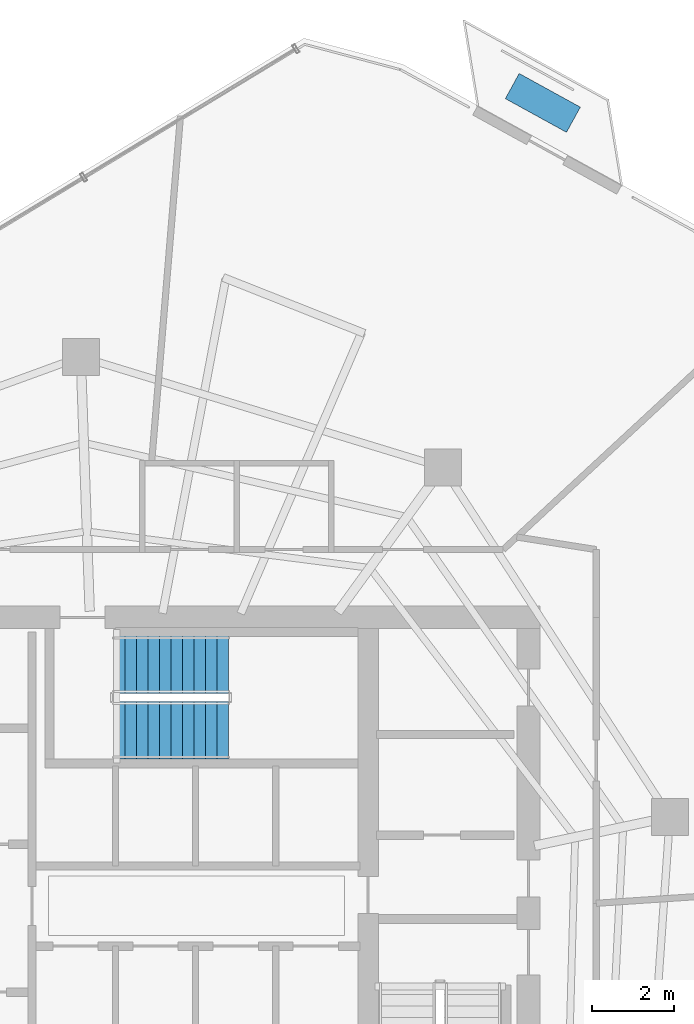
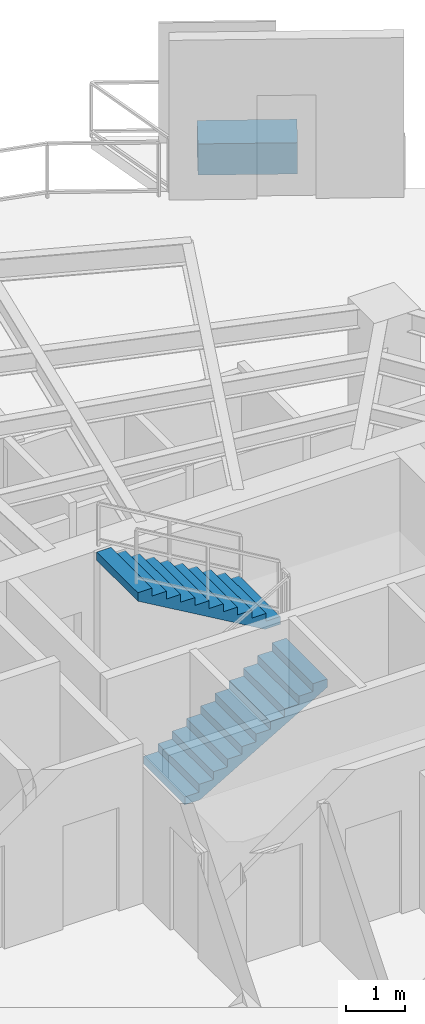
# One storey, part 17 of 19: 2 stair flights, 1 discrete accessory, 1 element without a shape of its own.
"""IFC4 building model written with IfcOpenShell, lengths in metres."""

from ifc_helpers import new_model, si_unit, direction, frame, origin, origin_2d, place, context, subcontext, project, spatial, polyline, rectangle, outline, extrude, material, type_object, element, aggregate, save


model = new_model("IFC4")

# Units and contexts
model_context = context("Model", 3, precision=1e-05, world=origin(), true_north=direction((0.0, 1.0)))
body_context = subcontext(model_context, "Body", "Model", "MODEL_VIEW")
ifc_project = project(units=[si_unit("LENGTHUNIT", "METRE"), si_unit("AREAUNIT", "SQUARE_METRE"), si_unit("VOLUMEUNIT", "CUBIC_METRE"), si_unit("PLANEANGLEUNIT", "RADIAN"), si_unit("MASSUNIT", "GRAM", prefix="KILO")], contexts=[model_context])

# Site, building, storey
site_placement = place(None, origin())
site = spatial("IfcSite", under=ifc_project, at=site_placement, CompositionType="ELEMENT")
building_placement = place(site_placement, origin())
building = spatial("IfcBuilding", under=site, at=building_placement, Name="Qarnah Convention Tower", CompositionType="ELEMENT")
storey_placement = place(building_placement, frame((0.0, 0.0, 184.199951171875)))
storey = spatial("IfcBuildingStorey", under=building, at=storey_placement, Name="L49", CompositionType="ELEMENT", Elevation=184.199951171875)

# Stair, stair flights
ifc_material_1 = material(Name="Concrete C50/60", Category="concrete")
stair_type = type_object("IfcStairType", Name="STR-OFF", PredefinedType="HALF_TURN_STAIR", material=ifc_material_1)
stair_placement = place(storey_placement, origin())
stair = element("IfcStair", 1, at=stair_placement, inside=storey, type_object=stair_type, Name="L49 Core exit stair ST-3", PredefinedType="HALF_TURN_STAIR")
stair_flight_type = type_object("IfcStairFlightType", Name="FLT-OFF", PredefinedType="STRAIGHT", material=ifc_material_1)
stair_flight_1_placement = place(storey_placement, frame((37.5, 31.449951171875, 0.0), z_axis=(0.0, 0.0, 1.0), x_axis=(1.0, 0.0, 0.0)))
stair_flight_1 = element("IfcStairFlight", 2, at=stair_flight_1_placement, type_object=stair_flight_type, Name="ST-3 flight 1", NumberOfRisers=11, NumberOfTreads=10, PredefinedType="STRAIGHT", RiserHeight=0.163636364, TreadLength=0.28, context=body_context, shape_type="SweptSolid", body=[
    extrude(outline(polyline([(0.0, 0.0), (0.0, 0.16357421875), (0.280029296875, 0.16357421875), (0.280029296875, 0.327392578125), (0.56005859375, 0.327392578125), (0.56005859375, 0.490966796875), (0.840087890625, 0.490966796875), (0.840087890625, 0.654541015625), (1.1201171875, 0.654541015625), (1.1201171875, 0.818115234375), (1.39990234375, 0.818115234375), (1.39990234375, 0.98193359375), (1.679931640625, 0.98193359375), (1.679931640625, 1.1455078125), (1.9599609375, 1.1455078125), (1.9599609375, 1.30908203125), (2.239990234375, 1.30908203125), (2.239990234375, 1.47265625), (2.52001953125, 1.47265625), (2.52001953125, 1.636474609375), (2.800048828125, 1.636474609375), (2.800048828125, 1.800048828125), (2.800048828125, 1.462646484375), (0.297119140625, 0.0), (0.0, 0.0)])), frame((0.0, 0.699951171875, 0.0), z_axis=(0.0, -1.0, 0.0), x_axis=(1.0, 0.0, 0.0)), (0.0, 0.0, 1.0), 1.39990234375),
])
stair_flight_2_placement = place(storey_placement, frame((40.300048828125, 33.050048828125, 1.800048828125), z_axis=(0.0, 0.0, 1.0), x_axis=(-1.0, 0.0, 0.0)))
stair_flight_2 = element("IfcStairFlight", 3, at=stair_flight_2_placement, type_object=stair_flight_type, Name="ST-3 flight 2", NumberOfRisers=11, NumberOfTreads=10, PredefinedType="STRAIGHT", RiserHeight=0.163636364, TreadLength=0.28, context=body_context, shape_type="SweptSolid", body=[
    extrude(outline(polyline([(0.0, 0.0), (0.0, 0.16357421875), (0.280029296875, 0.16357421875), (0.280029296875, 0.327392578125), (0.56005859375, 0.327392578125), (0.56005859375, 0.490966796875), (0.840087890625, 0.490966796875), (0.840087890625, 0.654541015625), (1.1201171875, 0.654541015625), (1.1201171875, 0.818115234375), (1.39990234375, 0.818115234375), (1.39990234375, 0.98193359375), (1.679931640625, 0.98193359375), (1.679931640625, 1.1455078125), (1.9599609375, 1.1455078125), (1.9599609375, 1.30908203125), (2.239990234375, 1.30908203125), (2.239990234375, 1.47265625), (2.52001953125, 1.47265625), (2.52001953125, 1.636474609375), (2.800048828125, 1.636474609375), (2.800048828125, 1.800048828125), (2.800048828125, 1.462646484375), (0.297119140625, 0.0), (0.0, 0.0)])), frame((0.0, 0.699951171875, 0.0), z_axis=(0.0, -1.0, 0.0), x_axis=(1.0, 0.0, 0.0)), (0.0, 0.0, 1.0), 1.39990234375),
])
aggregate(stair, [stair_flight_1, stair_flight_2])

# Discrete accessory
ifc_material_2 = material(Name="Precast concrete C45/55", Category="concrete")
discrete_accessory_type = type_object("IfcDiscreteAccessoryType", Name="ACC-PLANTER-900", PredefinedType="USERDEFINED", material=ifc_material_2)
discrete_accessory_placement = place(storey_placement, frame((47.949951171875, 46.719970703125, 0.0), z_axis=(0.0, 0.0, 1.0), x_axis=(-0.876306680044, 0.481753674102, 0.0)))
element("IfcDiscreteAccessory", 4, at=discrete_accessory_placement, inside=storey, type_object=discrete_accessory_type, Name="L49 irrigated desert balcony PLANTER BAL-L49-C1", ObjectType="PLANTER", PredefinedType="USERDEFINED", context=body_context, shape_type="SweptSolid", body=[
    extrude(rectangle(XDim=1.699951171875, YDim=0.699951171875, at=origin_2d()), origin(), (0.0, 0.0, 1.0), 0.64990234375),
])

save(model, "model.ifc")
